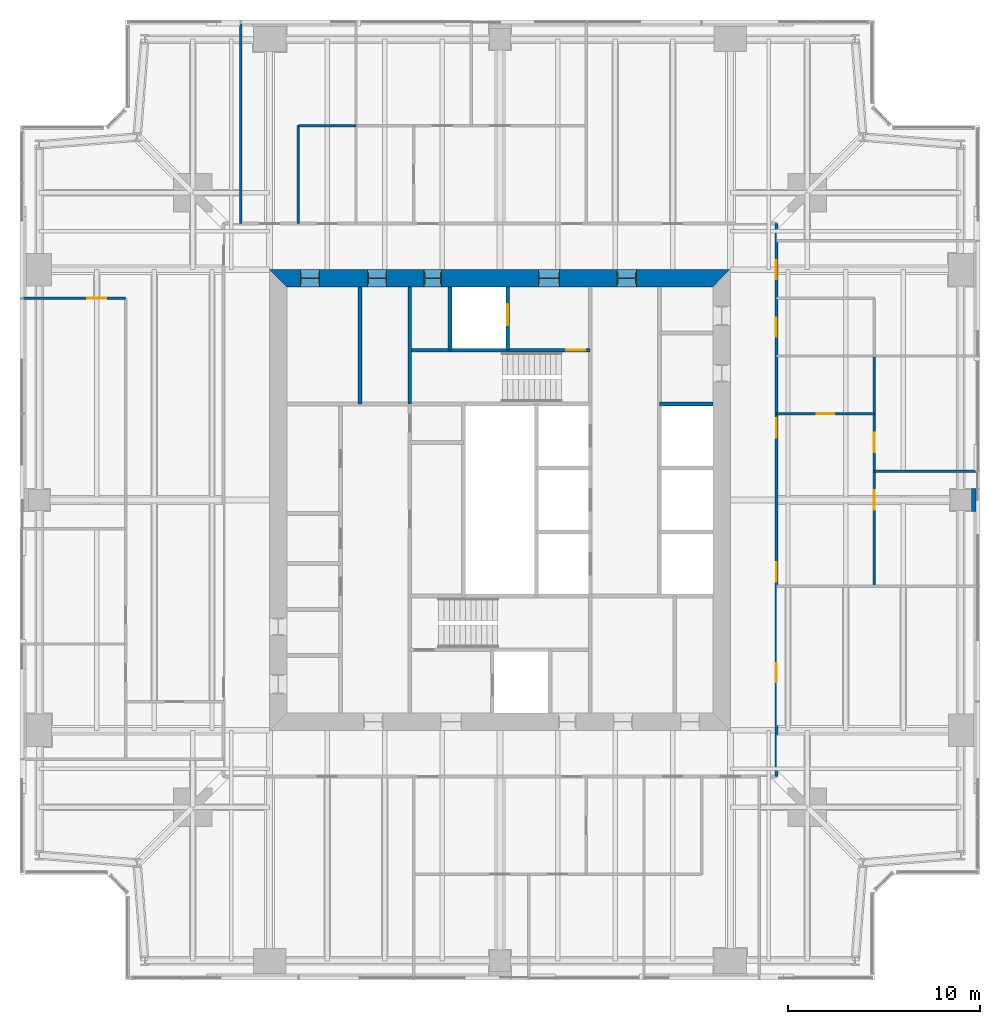
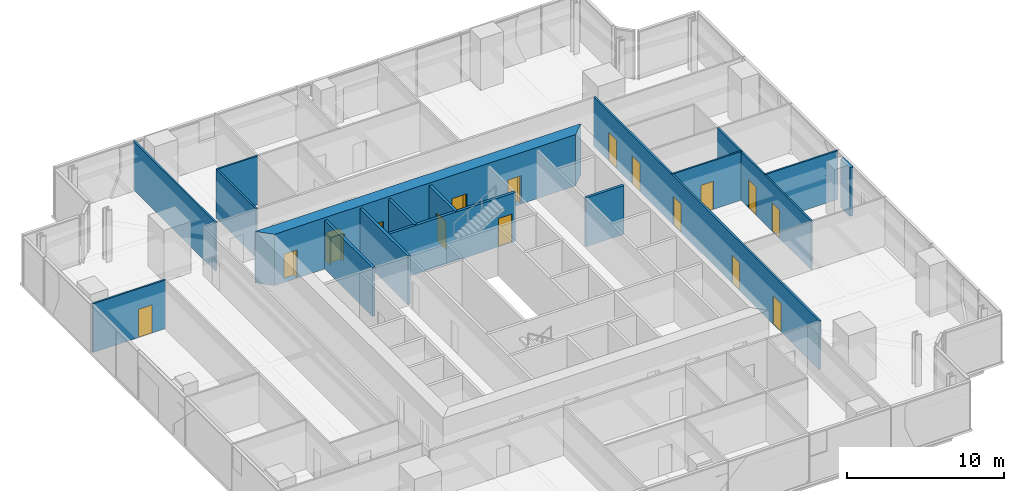
# One storey, part 11 of 15: 16 doors, 16 walls, 16 openings.
"""IFC4 building model written with IfcOpenShell, lengths in metres."""

from ifc_helpers import new_model, si_unit, direction, frame, frame_2d, origin, place, context, subcontext, project, spatial, polyline, rectangle, outline, extrude, material, layer, layer_set, type_object, element, fill, save


model = new_model("IFC4")

# Units and contexts
model_context = context("Model", 3, precision=1e-05, world=origin(), true_north=direction((0.0, 1.0)))
body_context = subcontext(model_context, "Body", "Model", "MODEL_VIEW")
ifc_project = project(units=[si_unit("LENGTHUNIT", "METRE"), si_unit("AREAUNIT", "SQUARE_METRE"), si_unit("VOLUMEUNIT", "CUBIC_METRE"), si_unit("PLANEANGLEUNIT", "RADIAN"), si_unit("MASSUNIT", "GRAM", prefix="KILO")], contexts=[model_context])

# Site, building, storey
site_placement = place(None, origin())
site = spatial("IfcSite", under=ifc_project, at=site_placement, CompositionType="ELEMENT")
building_placement = place(site_placement, origin())
building = spatial("IfcBuilding", under=site, at=building_placement, Name="Fenwick Lantern Interchange", CompositionType="ELEMENT")
storey_placement = place(building_placement, frame((0.0, 0.0, 229.800048828125)))
storey = spatial("IfcBuildingStorey", under=building, at=storey_placement, Name="L54", CompositionType="ELEMENT", Elevation=229.800048828125)

# Walls
ifc_material_1 = material(Name="Fire-rated gypsum board encasement on steel studs, 2 hour", Category="steel")
ifc_layer_1 = layer(ifc_material_1, 1.199951171875)
ifc_layer_set_1 = layer_set([ifc_layer_1], Name="COLUMN PIER 1200")
wall_type_1 = type_object("IfcWallType", Name="COLUMN PIER 1200", PredefinedType="PARTITIONING", material=ifc_layer_set_1)
wall_1_placement = place(storey_placement, frame((49.800048828125, 25.0, 0.0), z_axis=(0.0, 0.0, 1.0), x_axis=(-1.0, 0.0, 0.0)))
element("IfcWall", 1, at=wall_1_placement, inside=storey, type_object=wall_type_1, Name="L54/W/PIER/CE3", PredefinedType="PARTITIONING", context=body_context, shape_type="SweptSolid", body=[
    extrude(rectangle(XDim=0.25, YDim=1.199951171875, at=frame_2d((0.125, 0.0))), origin(), (0.0, 0.0, 1.0), 3.800048828125),
])
ifc_material_2 = material(Name="Concrete masonry ASTM C90 Grade N", Category="masonry")
ifc_layer_2 = layer(ifc_material_2, 0.199951171875)
ifc_layer_set_2 = layer_set([ifc_layer_2], Name="Concrete masonry ASTM C90 Grade N")
wall_type_2 = type_object("IfcWallType", Name="CORE PARTITION 200", PredefinedType="PARTITIONING", material=ifc_layer_set_2)
wall_2_placement = place(storey_placement, frame((36.10009765625, 30.0, 0.0), z_axis=(0.0, 0.0, 1.0), x_axis=(-1.0, 0.0, 0.0)))
element("IfcWall", 2, at=wall_2_placement, inside=storey, type_object=wall_type_2, Name="L54/W/COREN/c2", PredefinedType="PARTITIONING", context=body_context, shape_type="SweptSolid", body=[
    extrude(rectangle(XDim=2.800048828125, YDim=0.199951171875, at=frame_2d((1.39990234375, 0.0))), origin(), (0.0, 0.0, 1.0), 3.800048828125),
])

# Wall, opening, door
wall_3_placement = place(storey_placement, frame((25.39990234375, 36.10009765625, 0.0), z_axis=(0.0, 0.0, 1.0), x_axis=(0.0, -1.0, 0.0)))
wall_3 = element("IfcWall", 3, at=wall_3_placement, inside=storey, type_object=wall_type_2, Name="L54/W/COREN/h1", PredefinedType="PARTITIONING", context=body_context, shape_type="SweptSolid", body=[
    extrude(rectangle(XDim=3.300048828125, YDim=0.199951171875, at=frame_2d((1.64990234375, 0.0))), origin(), (0.0, 0.0, 1.0), 3.800048828125),
])
opening_1_placement = place(wall_3_placement, frame((0.89990234375, 0.0, 0.0)))
opening_1 = element("IfcOpeningElement", 4, at=opening_1_placement, cuts=wall_3, Name="Opening LD-FL2", PredefinedType="OPENING", context=body_context, shape_type="SweptSolid", body=[
    extrude(rectangle(XDim=1.10009765625, YDim=2.199951171875, at=frame_2d((0.550048828125, 1.10009765625))), frame((0.0, 0.10986328125, 0.0), z_axis=(0.0, -1.0, 0.0), x_axis=(1.0, 0.0, 0.0)), (0.0, 0.0, 1.0), 0.219970703125),
])
ifc_material_3 = material(Name="Steel door and frame", Category="steel")
door_type_1 = type_object("IfcDoorType", Name="LIFT LANDING DOOR 1100 X 2200", OperationType="DOUBLE_DOOR_SLIDING", PredefinedType="DOOR", material=ifc_material_3)
door_1_placement = place(opening_1_placement, origin())
door_1 = element("IfcDoor", 5, at=door_1_placement, inside=storey, type_object=door_type_1, Name="Lift landing door FL2", OperationType="DOUBLE_DOOR_SLIDING", OverallHeight=2.199951171875, OverallWidth=1.10009765625, PredefinedType="DOOR", context=body_context, shape_type="SweptSolid", body=[
    extrude(rectangle(XDim=1.10009765625, YDim=2.199951171875, at=frame_2d((0.550048828125, 1.10009765625))), frame((0.0, 0.02490234375, 0.0), z_axis=(0.0, -1.0, 0.0), x_axis=(1.0, 0.0, 0.0)), (0.0, 0.0, 1.0), 0.050048828125),
])
fill(opening_1, door_1)

# Walls
wall_4_placement = place(storey_placement, frame((22.39990234375, 36.10009765625, 0.0), z_axis=(0.0, 0.0, 1.0), x_axis=(0.0, -1.0, 0.0)))
element("IfcWall", 6, at=wall_4_placement, inside=storey, type_object=wall_type_2, Name="L54/W/COREN/h2", PredefinedType="PARTITIONING", context=body_context, shape_type="SweptSolid", body=[
    extrude(rectangle(XDim=3.300048828125, YDim=0.199951171875, at=frame_2d((1.64990234375, 0.0))), origin(), (0.0, 0.0, 1.0), 3.800048828125),
])
wall_5_placement = place(storey_placement, frame((17.699951171875, 36.10009765625, 0.0), z_axis=(0.0, 0.0, 1.0), x_axis=(0.0, -1.0, 0.0)))
element("IfcWall", 7, at=wall_5_placement, inside=storey, type_object=wall_type_2, Name="L54/W/COREN/i2", PredefinedType="PARTITIONING", context=body_context, shape_type="SweptSolid", body=[
    extrude(rectangle(XDim=6.10009765625, YDim=0.199951171875, at=frame_2d((3.050048828125, 0.0))), origin(), (0.0, 0.0, 1.0), 3.800048828125),
])

# Wall, openings, doors
ifc_material_4 = material(Name="Concrete f'c 70 MPa", Category="concrete")
ifc_layer_3 = layer(ifc_material_4, 0.89990234375)
ifc_layer_set_3 = layer_set([ifc_layer_3], Name="CORE WALL 900")
wall_type_3 = type_object("IfcWallType", Name="CORE WALL 900", PredefinedType="SHEAR", material=ifc_layer_set_3)
wall_6_placement = place(storey_placement, frame((37.0, 36.550048828125, 0.0), z_axis=(0.0, 0.0, 1.0), x_axis=(-1.0, 0.0, 0.0)))
wall_6 = element("IfcWall", 8, at=wall_6_placement, inside=storey, type_object=wall_type_3, Name="L54/CORE/N", PredefinedType="SHEAR", context=body_context, shape_type="SweptSolid", body=[
    extrude(outline(polyline([(0.0, -0.449951171875), (24.0, -0.449951171875), (23.10009765625, 0.449951171875), (0.89990234375, 0.449951171875), (0.0, -0.449951171875)])), origin(), (0.0, 0.0, 1.0), 4.0),
])
opening_2_placement = place(wall_6_placement, frame((4.89990234375, 0.0, 0.0)))
opening_2 = element("IfcOpeningElement", 9, at=opening_2_placement, cuts=wall_6, Name="Opening L54-D014", PredefinedType="OPENING", context=body_context, shape_type="SweptSolid", body=[
    extrude(rectangle(XDim=1.0, YDim=2.199951171875, at=frame_2d((0.5, 1.10009765625))), frame((0.0, 0.4599609375, 0.0), z_axis=(0.0, -1.0, 0.0), x_axis=(1.0, 0.0, 0.0)), (0.0, 0.0, 1.0), 0.919921875),
])
opening_3_placement = place(wall_6_placement, frame((8.89990234375, 0.0, 0.0)))
opening_3 = element("IfcOpeningElement", 10, at=opening_3_placement, cuts=wall_6, Name="Opening L54-D015", PredefinedType="OPENING", context=body_context, shape_type="SweptSolid", body=[
    extrude(rectangle(XDim=1.10009765625, YDim=2.199951171875, at=frame_2d((0.550048828125, 1.10009765625))), frame((0.0, 0.4599609375, 0.0), z_axis=(0.0, -1.0, 0.0), x_axis=(1.0, 0.0, 0.0)), (0.0, 0.0, 1.0), 0.919921875),
])
opening_4_placement = place(wall_6_placement, frame((15.050048828125, 0.0, 0.0)))
opening_4 = element("IfcOpeningElement", 11, at=opening_4_placement, cuts=wall_6, Name="Opening L54-D017", PredefinedType="OPENING", context=body_context, shape_type="SweptSolid", body=[
    extrude(rectangle(XDim=0.89990234375, YDim=2.199951171875, at=frame_2d((0.449951171875, 1.10009765625))), frame((0.0, 0.4599609375, 0.0), z_axis=(0.0, -1.0, 0.0), x_axis=(1.0, 0.0, 0.0)), (0.0, 0.0, 1.0), 0.919921875),
])
opening_5_placement = place(wall_6_placement, frame((17.89990234375, 0.0, 0.0)))
opening_5 = element("IfcOpeningElement", 12, at=opening_5_placement, cuts=wall_6, Name="Opening L54-D018", PredefinedType="OPENING", context=body_context, shape_type="SweptSolid", body=[
    extrude(rectangle(XDim=1.0, YDim=2.199951171875, at=frame_2d((0.5, 1.10009765625))), frame((0.0, 0.4599609375, 0.0), z_axis=(0.0, -1.0, 0.0), x_axis=(1.0, 0.0, 0.0)), (0.0, 0.0, 1.0), 0.919921875),
])
opening_6_placement = place(wall_6_placement, frame((21.39990234375, 0.0, 0.0)))
opening_6 = element("IfcOpeningElement", 13, at=opening_6_placement, cuts=wall_6, Name="Opening L54-D019", PredefinedType="OPENING", context=body_context, shape_type="SweptSolid", body=[
    extrude(rectangle(XDim=1.0, YDim=2.199951171875, at=frame_2d((0.5, 1.10009765625))), frame((0.0, 0.4599609375, 0.0), z_axis=(0.0, -1.0, 0.0), x_axis=(1.0, 0.0, 0.0)), (0.0, 0.0, 1.0), 0.919921875),
])
door_type_2 = type_object("IfcDoorType", Name="CORE LOBBY DOOR 1000 X 2200", OperationType="SINGLE_SWING_LEFT", PredefinedType="DOOR", material=ifc_material_3)
door_2_placement = place(opening_2_placement, origin())
door_2 = element("IfcDoor", 14, at=door_2_placement, inside=storey, type_object=door_type_2, Name="Core lobby door", OperationType="SINGLE_SWING_LEFT", OverallHeight=2.199951171875, OverallWidth=1.0, PredefinedType="DOOR", context=body_context, shape_type="SweptSolid", body=[
    extrude(rectangle(XDim=1.0, YDim=2.199951171875, at=frame_2d((0.5, 1.10009765625))), frame((0.0, 0.02490234375, 0.0), z_axis=(0.0, -1.0, 0.0), x_axis=(1.0, 0.0, 0.0)), (0.0, 0.0, 1.0), 0.050048828125),
    extrude(outline(polyline([(0.0, 0.0), (0.0400390625, 0.0), (0.0400390625, 2.159912109375), (0.9599609375, 2.159912109375), (0.9599609375, 0.0), (1.0, 0.0), (1.0, 2.199951171875), (0.0, 2.199951171875), (0.0, 0.0)])), frame((0.0, 0.300048828125, 0.0), z_axis=(0.0, -1.0, 0.0), x_axis=(1.0, 0.0, 0.0)), (0.0, 0.0, 1.0), 0.60009765625),
])
fill(opening_2, door_2)
door_type_3 = type_object("IfcDoorType", Name="FIRE LOBBY DOOR 1100 X 2200", OperationType="SINGLE_SWING_LEFT", PredefinedType="DOOR", material=ifc_material_3)
door_3_placement = place(opening_3_placement, origin())
door_3 = element("IfcDoor", 15, at=door_3_placement, inside=storey, type_object=door_type_3, Name="Fire lobby door", OperationType="SINGLE_SWING_LEFT", OverallHeight=2.199951171875, OverallWidth=1.10009765625, PredefinedType="DOOR", context=body_context, shape_type="SweptSolid", body=[
    extrude(rectangle(XDim=1.10009765625, YDim=2.199951171875, at=frame_2d((0.550048828125, 1.10009765625))), frame((0.0, 0.02490234375, 0.0), z_axis=(0.0, -1.0, 0.0), x_axis=(1.0, 0.0, 0.0)), (0.0, 0.0, 1.0), 0.050048828125),
    extrude(outline(polyline([(0.0, 0.0), (0.0400390625, 0.0), (0.0400390625, 2.159912109375), (1.06005859375, 2.159912109375), (1.06005859375, 0.0), (1.10009765625, 0.0), (1.10009765625, 2.199951171875), (0.0, 2.199951171875), (0.0, 0.0)])), frame((0.0, 0.300048828125, 0.0), z_axis=(0.0, -1.0, 0.0), x_axis=(1.0, 0.0, 0.0)), (0.0, 0.0, 1.0), 0.60009765625),
])
fill(opening_3, door_3)
door_type_4 = type_object("IfcDoorType", Name="SERVICE DOOR 900 X 2200", OperationType="SINGLE_SWING_LEFT", PredefinedType="DOOR", material=ifc_material_3)
door_4_placement = place(opening_4_placement, origin())
door_4 = element("IfcDoor", 16, at=door_4_placement, inside=storey, type_object=door_type_4, Name="Service door", OperationType="SINGLE_SWING_LEFT", OverallHeight=2.199951171875, OverallWidth=0.89990234375, PredefinedType="DOOR", context=body_context, shape_type="SweptSolid", body=[
    extrude(rectangle(XDim=0.89990234375, YDim=2.199951171875, at=frame_2d((0.449951171875, 1.10009765625))), frame((0.0, 0.02490234375, 0.0), z_axis=(0.0, -1.0, 0.0), x_axis=(1.0, 0.0, 0.0)), (0.0, 0.0, 1.0), 0.050048828125),
    extrude(outline(polyline([(0.0, 0.0), (0.0400390625, 0.0), (0.0400390625, 2.159912109375), (0.85986328125, 2.159912109375), (0.85986328125, 0.0), (0.89990234375, 0.0), (0.89990234375, 2.199951171875), (0.0, 2.199951171875), (0.0, 0.0)])), frame((0.0, 0.300048828125, 0.0), z_axis=(0.0, -1.0, 0.0), x_axis=(1.0, 0.0, 0.0)), (0.0, 0.0, 1.0), 0.60009765625),
])
fill(opening_4, door_4)
ifc_material_5 = material(Name="Hardwood door and steel frame", Category="steel")
door_type_5 = type_object("IfcDoorType", Name="WC DOOR 1000 X 2200", OperationType="SINGLE_SWING_LEFT", PredefinedType="DOOR", material=ifc_material_5)
door_5_placement = place(opening_5_placement, origin())
door_5 = element("IfcDoor", 17, at=door_5_placement, inside=storey, type_object=door_type_5, Name="Wc door", OperationType="SINGLE_SWING_RIGHT", OverallHeight=2.199951171875, OverallWidth=1.0, PredefinedType="DOOR", context=body_context, shape_type="SweptSolid", body=[
    extrude(rectangle(XDim=1.0, YDim=2.199951171875, at=frame_2d((0.5, 1.10009765625))), frame((0.0, 0.02490234375, 0.0), z_axis=(0.0, -1.0, 0.0), x_axis=(1.0, 0.0, 0.0)), (0.0, 0.0, 1.0), 0.050048828125),
    extrude(outline(polyline([(0.0, 0.0), (0.0400390625, 0.0), (0.0400390625, 2.159912109375), (0.9599609375, 2.159912109375), (0.9599609375, 0.0), (1.0, 0.0), (1.0, 2.199951171875), (0.0, 2.199951171875), (0.0, 0.0)])), frame((0.0, 0.300048828125, 0.0), z_axis=(0.0, -1.0, 0.0), x_axis=(1.0, 0.0, 0.0)), (0.0, 0.0, 1.0), 0.60009765625),
])
fill(opening_5, door_5)
door_6_placement = place(opening_6_placement, origin())
door_6 = element("IfcDoor", 18, at=door_6_placement, inside=storey, type_object=door_type_5, Name="Wc door", OperationType="SINGLE_SWING_RIGHT", OverallHeight=2.199951171875, OverallWidth=1.0, PredefinedType="DOOR", context=body_context, shape_type="SweptSolid", body=[
    extrude(rectangle(XDim=1.0, YDim=2.199951171875, at=frame_2d((0.5, 1.10009765625))), frame((0.0, 0.02490234375, 0.0), z_axis=(0.0, -1.0, 0.0), x_axis=(1.0, 0.0, 0.0)), (0.0, 0.0, 1.0), 0.050048828125),
    extrude(outline(polyline([(0.0, 0.0), (0.0400390625, 0.0), (0.0400390625, 2.159912109375), (0.9599609375, 2.159912109375), (0.9599609375, 0.0), (1.0, 0.0), (1.0, 2.199951171875), (0.0, 2.199951171875), (0.0, 0.0)])), frame((0.0, 0.300048828125, 0.0), z_axis=(0.0, -1.0, 0.0), x_axis=(1.0, 0.0, 0.0)), (0.0, 0.0, 1.0), 0.60009765625),
])
fill(opening_6, door_6)

ifc_material_6 = material(Name="Gypsum board on steel studs, 1 hour", Category="steel")
ifc_layer_4 = layer(ifc_material_6, 0.14990234375)
ifc_layer_set_4 = layer_set([ifc_layer_4], Name="CORRIDOR WALL 150")
wall_type_4 = type_object("IfcWallType", Name="CORRIDOR WALL 150", PredefinedType="PARTITIONING", material=ifc_layer_set_4)
wall_7_placement = place(storey_placement, frame((39.39990234375, 10.60009765625, 0.0), z_axis=(0.0, 0.0, 1.0), x_axis=(0.0, 1.0, 0.0)))
wall_7 = element("IfcWall", 19, at=wall_7_placement, inside=storey, type_object=wall_type_4, Name="L54/W/OFF/E/CW2", PredefinedType="PARTITIONING", context=body_context, shape_type="SweptSolid", body=[
    extrude(rectangle(XDim=28.7998046875, YDim=0.14990234375, at=frame_2d((14.39990234375, 0.0))), origin(), (0.0, 0.0, 1.0), 3.800048828125),
])
opening_7_placement = place(wall_7_placement, frame((10.14990234375, 0.0, 0.0)))
opening_7 = element("IfcOpeningElement", 20, at=opening_7_placement, cuts=wall_7, Name="Opening L54-D030", PredefinedType="OPENING", context=body_context, shape_type="SweptSolid", body=[
    extrude(rectangle(XDim=1.0, YDim=2.199951171875, at=frame_2d((0.5, 1.10009765625))), frame((0.0, 0.0849609375, 0.0), z_axis=(0.0, -1.0, 0.0), x_axis=(1.0, 0.0, 0.0)), (0.0, 0.0, 1.0), 0.169921875),
])
opening_8_placement = place(wall_7_placement, frame((17.64990234375, 0.0, 0.0)))
opening_8 = element("IfcOpeningElement", 21, at=opening_8_placement, cuts=wall_7, Name="Opening L54-D031", PredefinedType="OPENING", context=body_context, shape_type="SweptSolid", body=[
    extrude(rectangle(XDim=1.0, YDim=2.199951171875, at=frame_2d((0.5, 1.10009765625))), frame((0.0, 0.0849609375, 0.0), z_axis=(0.0, -1.0, 0.0), x_axis=(1.0, 0.0, 0.0)), (0.0, 0.0, 1.0), 0.169921875),
])
opening_9_placement = place(wall_7_placement, frame((4.89990234375, 0.0, 0.0)))
opening_9 = element("IfcOpeningElement", 22, at=opening_9_placement, cuts=wall_7, Name="Opening L54-D035", PredefinedType="OPENING", context=body_context, shape_type="SweptSolid", body=[
    extrude(rectangle(XDim=1.0, YDim=2.199951171875, at=frame_2d((0.5, 1.10009765625))), frame((0.0, 0.0849609375, 0.0), z_axis=(0.0, -1.0, 0.0), x_axis=(1.0, 0.0, 0.0)), (0.0, 0.0, 1.0), 0.169921875),
])
opening_10_placement = place(wall_7_placement, frame((22.89990234375, 0.0, 0.0)))
opening_10 = element("IfcOpeningElement", 23, at=opening_10_placement, cuts=wall_7, Name="Opening L54-D036", PredefinedType="OPENING", context=body_context, shape_type="SweptSolid", body=[
    extrude(rectangle(XDim=1.0, YDim=2.199951171875, at=frame_2d((0.5, 1.10009765625))), frame((0.0, 0.0849609375, 0.0), z_axis=(0.0, -1.0, 0.0), x_axis=(1.0, 0.0, 0.0)), (0.0, 0.0, 1.0), 0.169921875),
])
opening_11_placement = place(wall_7_placement, frame((25.89990234375, 0.0, 0.0)))
opening_11 = element("IfcOpeningElement", 24, at=opening_11_placement, cuts=wall_7, Name="Opening L54-D037", PredefinedType="OPENING", context=body_context, shape_type="SweptSolid", body=[
    extrude(rectangle(XDim=1.0, YDim=2.199951171875, at=frame_2d((0.5, 1.10009765625))), frame((0.0, 0.0849609375, 0.0), z_axis=(0.0, -1.0, 0.0), x_axis=(1.0, 0.0, 0.0)), (0.0, 0.0, 1.0), 0.169921875),
])
door_type_6 = type_object("IfcDoorType", Name="SUITE ENTRANCE DOOR 1000 X 2200", OperationType="SINGLE_SWING_LEFT", PredefinedType="DOOR", material=ifc_material_3)
door_7_placement = place(opening_7_placement, origin())
door_7 = element("IfcDoor", 25, at=door_7_placement, inside=storey, type_object=door_type_6, Name="Suite entrance door", OperationType="SINGLE_SWING_LEFT", OverallHeight=2.199951171875, OverallWidth=1.0, PredefinedType="DOOR", context=body_context, shape_type="SweptSolid", body=[
    extrude(rectangle(XDim=1.0, YDim=2.199951171875, at=frame_2d((0.5, 1.10009765625))), frame((0.0, 0.02490234375, 0.0), z_axis=(0.0, -1.0, 0.0), x_axis=(1.0, 0.0, 0.0)), (0.0, 0.0, 1.0), 0.050048828125),
])
fill(opening_7, door_7)
door_8_placement = place(opening_8_placement, origin())
door_8 = element("IfcDoor", 26, at=door_8_placement, inside=storey, type_object=door_type_6, Name="Suite entrance door", OperationType="SINGLE_SWING_RIGHT", OverallHeight=2.199951171875, OverallWidth=1.0, PredefinedType="DOOR", context=body_context, shape_type="SweptSolid", body=[
    extrude(rectangle(XDim=1.0, YDim=2.199951171875, at=frame_2d((0.5, 1.10009765625))), frame((0.0, 0.02490234375, 0.0), z_axis=(0.0, -1.0, 0.0), x_axis=(1.0, 0.0, 0.0)), (0.0, 0.0, 1.0), 0.050048828125),
])
fill(opening_8, door_8)
door_9_placement = place(opening_9_placement, frame((1.0, 0.0, 0.0), z_axis=(0.0, 0.0, 1.0), x_axis=(-1.0, 0.0, 0.0)))
door_9 = element("IfcDoor", 27, at=door_9_placement, inside=storey, type_object=door_type_6, Name="Suite entrance door", OperationType="SINGLE_SWING_LEFT", OverallHeight=2.199951171875, OverallWidth=1.0, PredefinedType="DOOR", context=body_context, shape_type="SweptSolid", body=[
    extrude(rectangle(XDim=1.0, YDim=2.199951171875, at=frame_2d((0.5, 1.10009765625))), frame((0.0, 0.02490234375, 0.0), z_axis=(0.0, -1.0, 0.0), x_axis=(1.0, 0.0, 0.0)), (0.0, 0.0, 1.0), 0.050048828125),
])
fill(opening_9, door_9)
door_10_placement = place(opening_10_placement, frame((1.0, 0.0, 0.0), z_axis=(0.0, 0.0, 1.0), x_axis=(-1.0, 0.0, 0.0)))
door_10 = element("IfcDoor", 28, at=door_10_placement, inside=storey, type_object=door_type_6, Name="Suite entrance door", OperationType="SINGLE_SWING_RIGHT", OverallHeight=2.199951171875, OverallWidth=1.0, PredefinedType="DOOR", context=body_context, shape_type="SweptSolid", body=[
    extrude(rectangle(XDim=1.0, YDim=2.199951171875, at=frame_2d((0.5, 1.10009765625))), frame((0.0, 0.02490234375, 0.0), z_axis=(0.0, -1.0, 0.0), x_axis=(1.0, 0.0, 0.0)), (0.0, 0.0, 1.0), 0.050048828125),
])
fill(opening_10, door_10)
door_11_placement = place(opening_11_placement, frame((1.0, 0.0, 0.0), z_axis=(0.0, 0.0, 1.0), x_axis=(-1.0, 0.0, 0.0)))
door_11 = element("IfcDoor", 29, at=door_11_placement, inside=storey, type_object=door_type_6, Name="Suite entrance door", OperationType="SINGLE_SWING_RIGHT", OverallHeight=2.199951171875, OverallWidth=1.0, PredefinedType="DOOR", context=body_context, shape_type="SweptSolid", body=[
    extrude(rectangle(XDim=1.0, YDim=2.199951171875, at=frame_2d((0.5, 1.10009765625))), frame((0.0, 0.02490234375, 0.0), z_axis=(0.0, -1.0, 0.0), x_axis=(1.0, 0.0, 0.0)), (0.0, 0.0, 1.0), 0.050048828125),
])
fill(opening_11, door_11)

# Wall
ifc_material_7 = material(Name="Gypsum board on steel studs, acoustic", Category="steel")
ifc_layer_5 = layer(ifc_material_7, 0.125)
ifc_layer_set_5 = layer_set([ifc_layer_5], Name="OFFICE PARTITION 125")
wall_type_5 = type_object("IfcWallType", Name="OFFICE PARTITION 125", PredefinedType="PARTITIONING", material=ifc_layer_set_5)
wall_8_placement = place(storey_placement, frame((49.85009765625, 26.5, 0.0), z_axis=(0.0, 0.0, 1.0), x_axis=(-1.0, 0.0, 0.0)))
element("IfcWall", 30, at=wall_8_placement, inside=storey, type_object=wall_type_5, Name="L54/W/OFF/E/X265-1", PredefinedType="PARTITIONING", context=body_context, shape_type="SweptSolid", body=[
    extrude(rectangle(XDim=5.35009765625, YDim=0.125, at=frame_2d((2.675048828125, 0.0))), origin(), (0.0, 0.0, 1.0), 3.800048828125),
])

# Wall, opening, door
wall_9_placement = place(storey_placement, frame((44.5, 29.5, 0.0), z_axis=(0.0, 0.0, 1.0), x_axis=(-1.0, 0.0, 0.0)))
wall_9 = element("IfcWall", 31, at=wall_9_placement, inside=storey, type_object=wall_type_5, Name="L54/W/OFF/E/X295-1", PredefinedType="PARTITIONING", context=body_context, shape_type="SweptSolid", body=[
    extrude(rectangle(XDim=5.10009765625, YDim=0.125, at=frame_2d((2.550048828125, 0.0))), origin(), (0.0, 0.0, 1.0), 3.800048828125),
])
opening_12_placement = place(wall_9_placement, frame((2.10009765625, 0.0, 0.0)))
opening_12 = element("IfcOpeningElement", 32, at=opening_12_placement, cuts=wall_9, Name="Opening L54-D034", PredefinedType="OPENING", context=body_context, shape_type="SweptSolid", body=[
    extrude(rectangle(XDim=0.89990234375, YDim=2.199951171875, at=frame_2d((0.449951171875, 1.10009765625))), frame((0.0, 0.072509765625, 0.0), z_axis=(0.0, -1.0, 0.0), x_axis=(1.0, 0.0, 0.0)), (0.0, 0.0, 1.0), 0.14501953125),
])
door_type_7 = type_object("IfcDoorType", Name="OFFICE DOOR 900 X 2200", OperationType="SINGLE_SWING_LEFT", PredefinedType="DOOR", material=ifc_material_5)
door_12_placement = place(opening_12_placement, frame((0.89990234375, 0.0, 0.0), z_axis=(0.0, 0.0, 1.0), x_axis=(-1.0, 0.0, 0.0)))
door_12 = element("IfcDoor", 33, at=door_12_placement, inside=storey, type_object=door_type_7, Name="Office door", OperationType="SINGLE_SWING_RIGHT", OverallHeight=2.199951171875, OverallWidth=0.89990234375, PredefinedType="DOOR", context=body_context, shape_type="SweptSolid", body=[
    extrude(rectangle(XDim=0.89990234375, YDim=2.199951171875, at=frame_2d((0.449951171875, 1.10009765625))), frame((0.0, 0.02490234375, 0.0), z_axis=(0.0, -1.0, 0.0), x_axis=(1.0, 0.0, 0.0)), (0.0, 0.0, 1.0), 0.050048828125),
])
fill(opening_12, door_12)

# Wall, openings, doors
wall_10_placement = place(storey_placement, frame((44.5, 20.5, 0.0), z_axis=(0.0, 0.0, 1.0), x_axis=(0.0, 1.0, 0.0)))
wall_10 = element("IfcWall", 34, at=wall_10_placement, inside=storey, type_object=wall_type_5, Name="L54/W/OFF/E/Y55-1", PredefinedType="PARTITIONING", context=body_context, shape_type="SweptSolid", body=[
    extrude(rectangle(XDim=12.0, YDim=0.125, at=frame_2d((6.0, 0.0))), origin(), (0.0, 0.0, 1.0), 3.800048828125),
])
opening_13_placement = place(wall_10_placement, frame((4.0, 0.0, 0.0)))
opening_13 = element("IfcOpeningElement", 35, at=opening_13_placement, cuts=wall_10, Name="Opening L54-D032", PredefinedType="OPENING", context=body_context, shape_type="SweptSolid", body=[
    extrude(rectangle(XDim=1.0, YDim=2.199951171875, at=frame_2d((0.5, 1.10009765625))), frame((0.0, 0.072509765625, 0.0), z_axis=(0.0, -1.0, 0.0), x_axis=(1.0, 0.0, 0.0)), (0.0, 0.0, 1.0), 0.14501953125),
])
opening_14_placement = place(wall_10_placement, frame((7.0, 0.0, 0.0)))
opening_14 = element("IfcOpeningElement", 36, at=opening_14_placement, cuts=wall_10, Name="Opening L54-D033", PredefinedType="OPENING", context=body_context, shape_type="SweptSolid", body=[
    extrude(rectangle(XDim=1.0, YDim=2.199951171875, at=frame_2d((0.5, 1.10009765625))), frame((0.0, 0.072509765625, 0.0), z_axis=(0.0, -1.0, 0.0), x_axis=(1.0, 0.0, 0.0)), (0.0, 0.0, 1.0), 0.14501953125),
])
door_type_8 = type_object("IfcDoorType", Name="MEETING ROOM DOOR 1000 X 2200", OperationType="SINGLE_SWING_LEFT", PredefinedType="DOOR", material=ifc_material_5)
door_13_placement = place(opening_13_placement, frame((1.0, 0.0, 0.0), z_axis=(0.0, 0.0, 1.0), x_axis=(-1.0, 0.0, 0.0)))
door_13 = element("IfcDoor", 37, at=door_13_placement, inside=storey, type_object=door_type_8, Name="Meeting room door", OperationType="SINGLE_SWING_LEFT", OverallHeight=2.199951171875, OverallWidth=1.0, PredefinedType="DOOR", context=body_context, shape_type="SweptSolid", body=[
    extrude(rectangle(XDim=1.0, YDim=2.199951171875, at=frame_2d((0.5, 1.10009765625))), frame((0.0, 0.02490234375, 0.0), z_axis=(0.0, -1.0, 0.0), x_axis=(1.0, 0.0, 0.0)), (0.0, 0.0, 1.0), 0.050048828125),
])
fill(opening_13, door_13)
door_14_placement = place(opening_14_placement, frame((1.0, 0.0, 0.0), z_axis=(0.0, 0.0, 1.0), x_axis=(-1.0, 0.0, 0.0)))
door_14 = element("IfcDoor", 38, at=door_14_placement, inside=storey, type_object=door_type_8, Name="Meeting room door", OperationType="SINGLE_SWING_RIGHT", OverallHeight=2.199951171875, OverallWidth=1.0, PredefinedType="DOOR", context=body_context, shape_type="SweptSolid", body=[
    extrude(rectangle(XDim=1.0, YDim=2.199951171875, at=frame_2d((0.5, 1.10009765625))), frame((0.0, 0.02490234375, 0.0), z_axis=(0.0, -1.0, 0.0), x_axis=(1.0, 0.0, 0.0)), (0.0, 0.0, 1.0), 0.050048828125),
])
fill(opening_14, door_14)

# Walls
wall_11_placement = place(storey_placement, frame((14.5, 44.5, 0.0), z_axis=(0.0, 0.0, 1.0), x_axis=(0.0, -1.0, 0.0)))
element("IfcWall", 39, at=wall_11_placement, inside=storey, type_object=wall_type_5, Name="L54/W/OFF/N/X355-1", PredefinedType="PARTITIONING", context=body_context, shape_type="SweptSolid", body=[
    extrude(rectangle(XDim=5.10009765625, YDim=0.125, at=frame_2d((2.550048828125, 0.0))), origin(), (0.0, 0.0, 1.0), 3.800048828125),
])
wall_12_placement = place(storey_placement, frame((17.5, 44.5, 0.0), z_axis=(0.0, 0.0, 1.0), x_axis=(-1.0, 0.0, 0.0)))
element("IfcWall", 40, at=wall_12_placement, inside=storey, type_object=wall_type_5, Name="L54/W/OFF/N/Y55-2", PredefinedType="PARTITIONING", context=body_context, shape_type="SweptSolid", body=[
    extrude(rectangle(XDim=3.0, YDim=0.125, at=frame_2d((1.5, 0.0))), origin(), (0.0, 0.0, 1.0), 3.800048828125),
])
wall_13_placement = place(storey_placement, frame((11.5, 49.85009765625, 0.0), z_axis=(0.0, 0.0, 1.0), x_axis=(0.0, -1.0, 0.0)))
element("IfcWall", 41, at=wall_13_placement, inside=storey, type_object=wall_type_5, Name="L54/W/OFF/W/BACK", PredefinedType="PARTITIONING", context=body_context, shape_type="SweptSolid", body=[
    extrude(rectangle(XDim=10.4501953125, YDim=0.125, at=frame_2d((5.22509765625, 0.0))), origin(), (0.0, 0.0, 1.0), 3.800048828125),
])

# Wall, opening, door
wall_14_placement = place(storey_placement, frame((0.14990234375, 35.5, 0.0), z_axis=(0.0, 0.0, 1.0), x_axis=(1.0, 0.0, 0.0)))
wall_14 = element("IfcWall", 42, at=wall_14_placement, inside=storey, type_object=wall_type_5, Name="L54/W/OFF/W/X145-1", PredefinedType="PARTITIONING", context=body_context, shape_type="SweptSolid", body=[
    extrude(rectangle(XDim=5.35009765625, YDim=0.125, at=frame_2d((2.675048828125, 0.0))), origin(), (0.0, 0.0, 1.0), 3.800048828125),
])
opening_15_placement = place(wall_14_placement, frame((3.35009765625, 0.0, 0.0)))
opening_15 = element("IfcOpeningElement", 43, at=opening_15_placement, cuts=wall_14, Name="Opening L54-D048", PredefinedType="OPENING", context=body_context, shape_type="SweptSolid", body=[
    extrude(rectangle(XDim=1.0, YDim=2.199951171875, at=frame_2d((0.5, 1.10009765625))), frame((0.0, 0.072509765625, 0.0), z_axis=(0.0, -1.0, 0.0), x_axis=(1.0, 0.0, 0.0)), (0.0, 0.0, 1.0), 0.14501953125),
])
door_15_placement = place(opening_15_placement, frame((1.0, 0.0, 0.0), z_axis=(0.0, 0.0, 1.0), x_axis=(-1.0, 0.0, 0.0)))
door_15 = element("IfcDoor", 44, at=door_15_placement, inside=storey, type_object=door_type_8, Name="Meeting room door", OperationType="SINGLE_SWING_LEFT", OverallHeight=2.199951171875, OverallWidth=1.0, PredefinedType="DOOR", context=body_context, shape_type="SweptSolid", body=[
    extrude(rectangle(XDim=1.0, YDim=2.199951171875, at=frame_2d((0.5, 1.10009765625))), frame((0.0, 0.02490234375, 0.0), z_axis=(0.0, -1.0, 0.0), x_axis=(1.0, 0.0, 0.0)), (0.0, 0.0, 1.0), 0.050048828125),
])
fill(opening_15, door_15)

ifc_material_8 = material(Name="Concrete f'c 45 MPa", Category="concrete")
ifc_layer_6 = layer(ifc_material_8, 0.199951171875)
ifc_layer_set_6 = layer_set([ifc_layer_6], Name="STAIR CORE WALL 200")
wall_type_6 = type_object("IfcWallType", Name="STAIR CORE WALL 200", PredefinedType="SOLIDWALL", material=ifc_layer_set_6)
wall_15_placement = place(storey_placement, frame((29.699951171875, 32.800048828125, 0.0), z_axis=(0.0, 0.0, 1.0), x_axis=(-1.0, 0.0, 0.0)))
wall_15 = element("IfcWall", 45, at=wall_15_placement, inside=storey, type_object=wall_type_6, Name="L54/W/COREN/g1", PredefinedType="SOLIDWALL", context=body_context, shape_type="SweptSolid", body=[
    extrude(rectangle(XDim=9.39990234375, YDim=0.199951171875, at=frame_2d((4.699951171875, 0.0))), origin(), (0.0, 0.0, 1.0), 3.800048828125),
])
opening_16_placement = place(wall_15_placement, frame((0.25, 0.0, 0.0)))
opening_16 = element("IfcOpeningElement", 46, at=opening_16_placement, cuts=wall_15, Name="Opening L54-D016", PredefinedType="OPENING", context=body_context, shape_type="SweptSolid", body=[
    extrude(rectangle(XDim=1.0, YDim=2.199951171875, at=frame_2d((0.5, 1.10009765625))), frame((0.0, 0.10986328125, 0.0), z_axis=(0.0, -1.0, 0.0), x_axis=(1.0, 0.0, 0.0)), (0.0, 0.0, 1.0), 0.219970703125),
])
door_type_9 = type_object("IfcDoorType", Name="STAIR DOOR 1000 X 2200", OperationType="SINGLE_SWING_LEFT", PredefinedType="DOOR", material=ifc_material_3)
door_16_placement = place(opening_16_placement, origin())
door_16 = element("IfcDoor", 47, at=door_16_placement, inside=storey, type_object=door_type_9, Name="Stair door", OperationType="SINGLE_SWING_LEFT", OverallHeight=2.199951171875, OverallWidth=1.0, PredefinedType="DOOR", context=body_context, shape_type="SweptSolid", body=[
    extrude(rectangle(XDim=1.0, YDim=2.199951171875, at=frame_2d((0.5, 1.10009765625))), frame((0.0, 0.02490234375, 0.0), z_axis=(0.0, -1.0, 0.0), x_axis=(1.0, 0.0, 0.0)), (0.0, 0.0, 1.0), 0.050048828125),
])
fill(opening_16, door_16)

# Wall
wall_16_placement = place(storey_placement, frame((20.300048828125, 36.10009765625, 0.0), z_axis=(0.0, 0.0, 1.0), x_axis=(0.0, -1.0, 0.0)))
element("IfcWall", 48, at=wall_16_placement, inside=storey, type_object=wall_type_6, Name="L54/W/COREN/i1", PredefinedType="SOLIDWALL", context=body_context, shape_type="SweptSolid", body=[
    extrude(rectangle(XDim=6.10009765625, YDim=0.199951171875, at=frame_2d((3.050048828125, 0.0))), origin(), (0.0, 0.0, 1.0), 3.800048828125),
])

save(model, "model.ifc")
